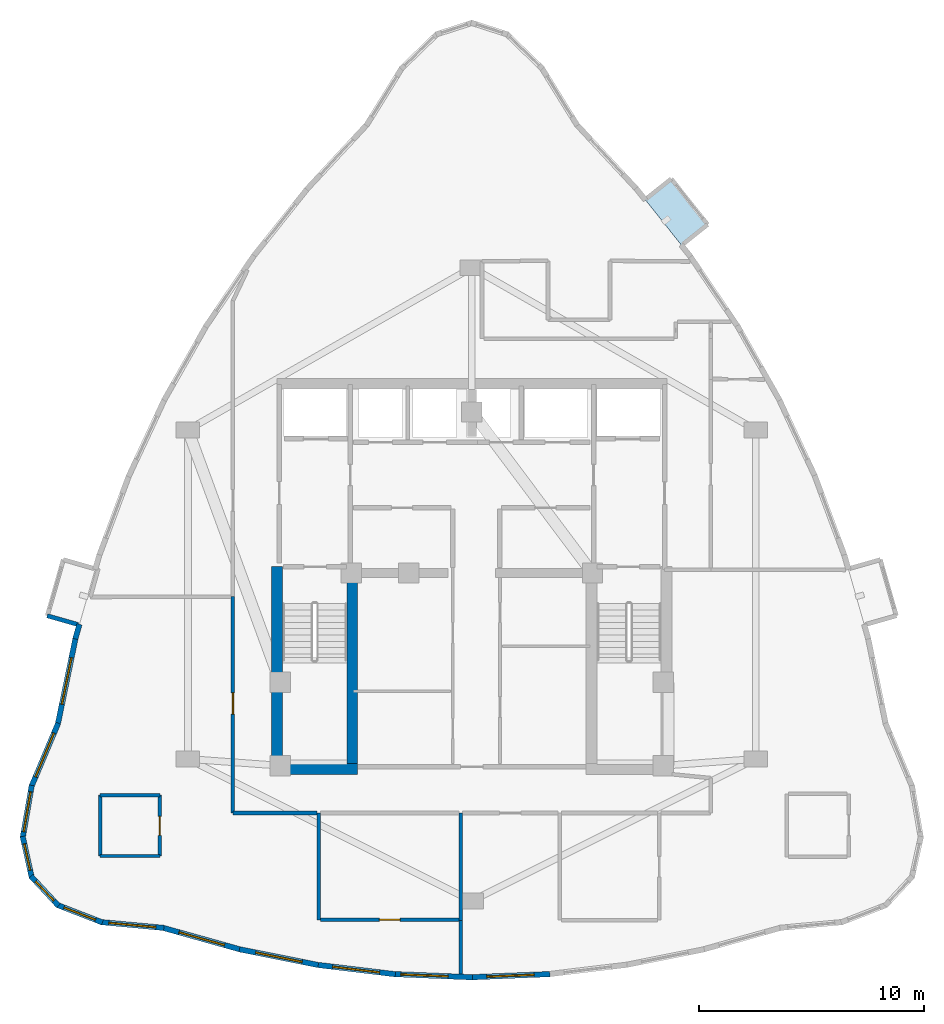
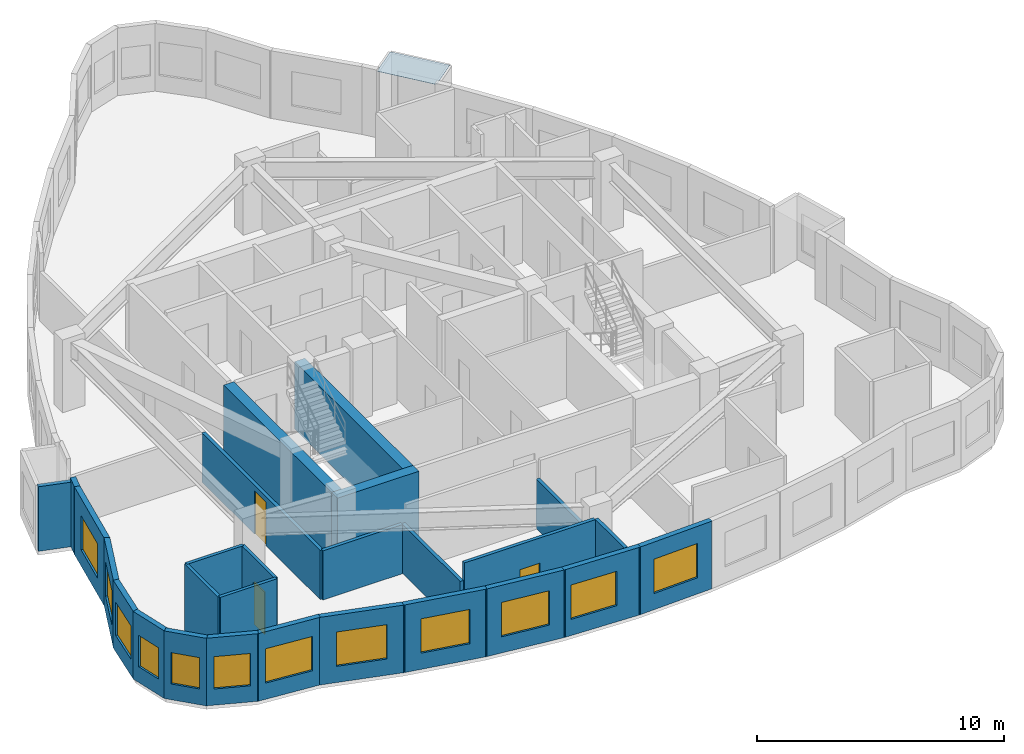
# One storey, part 3 of 8: 27 walls, 12 windows, 3 doors, 1 plate, 15 openings.
"""IFC4 building model written with IfcOpenShell, lengths in metres."""

from ifc_helpers import new_model, si_unit, direction, frame, frame_2d, origin, place, context, subcontext, project, spatial, polyline, rectangle, outline, extrude, material, layer, layer_set, type_object, element, fill, save


model = new_model("IFC4")

# Units and contexts
model_context = context("Model", 3, precision=1e-05, world=origin(), true_north=direction((0.0, 1.0)))
body_context = subcontext(model_context, "Body", "Model", "MODEL_VIEW")
ifc_project = project(units=[si_unit("LENGTHUNIT", "METRE"), si_unit("AREAUNIT", "SQUARE_METRE"), si_unit("VOLUMEUNIT", "CUBIC_METRE"), si_unit("PLANEANGLEUNIT", "RADIAN"), si_unit("MASSUNIT", "GRAM", prefix="KILO")], contexts=[model_context])

# Site, building, storey
site_placement = place(None, origin())
site = spatial("IfcSite", under=ifc_project, at=site_placement, CompositionType="ELEMENT")
building_placement = place(site_placement, origin())
building = spatial("IfcBuilding", under=site, at=building_placement, Name="Miruveldt Soraemaru", CompositionType="ELEMENT")
storey_placement = place(building_placement, frame((0.0, 0.0, 237.60009765625)))
storey = spatial("IfcBuildingStorey", under=building, at=storey_placement, Name="L65", CompositionType="ELEMENT", Elevation=237.60009765625)

# Plate
ifc_material_1 = material(Name="Standing-seam titanium-zinc sheet", Category="aluminium")
ifc_layer_1 = layer(ifc_material_1, 0.011962890625, Name="Standing-seam titanium-zinc sheet", Category="aluminium")
ifc_layer_set_1 = layer_set([ifc_layer_1], Name="Standing-seam titanium-zinc sheet")
plate_type = type_object("IfcPlateType", Name="PLT-ZINC-12", PredefinedType="SHEET", material=ifc_layer_set_1)
plate_placement = place(storey_placement, frame((0.0, 0.0, 3.19482421875)))
element("IfcPlate", 1, at=plate_placement, inside=storey, type_object=plate_type, Name="L65 Bay Window Zinc Hood Sheet 3", PredefinedType="SHEET", context=body_context, shape_type="SweptSolid", body=[
    extrude(outline(polyline([(53.30712890625, 58.592041015625), (51.690673828125, 60.618408203125), (52.84765625, 61.541259765625), (54.464111328125, 59.51513671875), (53.30712890625, 58.592041015625)])), origin(), (0.0, 0.0, 1.0), 0.011962890625),
])

# Walls
ifc_material_2 = material(Name="White powder-coated aluminium EN AW-6060 T6", Category="aluminium")
ifc_layer_2 = layer(ifc_material_2, 0.18994140625, Name="White powder-coated aluminium EN AW-6060 T6", Category="aluminium")
ifc_layer_set_2 = layer_set([ifc_layer_2], Name="White powder-coated aluminium EN AW-6060 T6")
wall_type_1 = type_object("IfcWallType", Name="WALL-BAY-ALU190", PredefinedType="SOLIDWALL", material=ifc_layer_set_2)
wall_1_placement = place(storey_placement, frame((25.158203125, 42.1533203125, 0.0), z_axis=(0.0, 0.0, 1.0), x_axis=(0.961439844578, -0.275015318223, 0.0)))
element("IfcWall", 2, at=wall_1_placement, inside=storey, type_object=wall_type_1, Name="L65 Bay Window Side Cheek 1R", PredefinedType="SOLIDWALL", context=body_context, shape_type="SweptSolid", body=[
    extrude(rectangle(XDim=1.4248046875, YDim=0.18994140625, at=frame_2d((0.71240234375, 0.0))), origin(), (0.0, 0.0, 1.0), 3.19482421875),
])
ifc_material_3 = material(Name="Concrete C60/75 (60 MPa)", Category="concrete")
ifc_layer_3 = layer(ifc_material_3, 0.47998046875, Name="Concrete C60/75 (60 MPa)", Category="concrete")
ifc_layer_set_3 = layer_set([ifc_layer_3], Name="Concrete C60/75 (60 MPa)")
wall_type_2 = type_object("IfcWallType", Name="WALL-CW-480", PredefinedType="SHEAR", material=ifc_layer_set_3)
wall_2_placement = place(storey_placement, frame((35.1201171875, 35.360107421875, 0.0), z_axis=(0.0, 0.0, 1.0), x_axis=(1.0, 0.0, 0.0)))
element("IfcWall", 3, at=wall_2_placement, inside=storey, type_object=wall_type_2, Name="L65 Central Core Shear Wall S1", PredefinedType="SHEAR", context=body_context, shape_type="SweptSolid", body=[
    extrude(rectangle(XDim=3.809814453125, YDim=0.47998046875, at=frame_2d((1.90478515625, 0.0))), origin(), (0.0, 0.0, 1.0), 3.344970703125),
])
wall_3_placement = place(storey_placement, frame((35.360107421875, 35.1201171875, 0.0), z_axis=(0.0, 0.0, 1.0), x_axis=(0.0, 1.0, 0.0)))
element("IfcWall", 4, at=wall_3_placement, inside=storey, type_object=wall_type_2, Name="L65 Central Core Shear Wall W1", PredefinedType="SHEAR", context=body_context, shape_type="SweptSolid", body=[
    extrude(rectangle(XDim=9.22998046875, YDim=0.47998046875, at=frame_2d((4.614990234375, 0.0))), origin(), (0.0, 0.0, 1.0), 3.344970703125),
])
wall_4_placement = place(storey_placement, frame((38.68994140625, 35.39990234375, 0.0), z_axis=(0.0, 0.0, 1.0), x_axis=(0.0, 1.0, 0.0)))
element("IfcWall", 5, at=wall_4_placement, inside=storey, type_object=wall_type_2, Name="L65 Central Core Shear Wall SW-INT", PredefinedType="SHEAR", context=body_context, shape_type="SweptSolid", body=[
    extrude(rectangle(XDim=8.9501953125, YDim=0.47998046875, at=frame_2d((4.47509765625, 0.0))), origin(), (0.0, 0.0, 1.0), 3.344970703125),
])
ifc_material_4 = material(Name="Precast concrete C45/55 (45 MPa)", Category="concrete")
ifc_layer_4 = layer(ifc_material_4, 0.239990234375, Name="Precast concrete C45/55 (45 MPa)", Category="concrete")
ifc_layer_set_4 = layer_set([ifc_layer_4], Name="Precast concrete C45/55 (45 MPa)")
wall_type_3 = type_object("IfcWallType", Name="WALL-EXT-PC240", PredefinedType="SOLIDWALL", material=ifc_layer_set_4)
wall_5_placement = place(storey_placement, frame((26.589111328125, 41.775146484375, 0.0), z_axis=(0.0, 0.0, 1.0), x_axis=(-0.274577784961, -0.961564891209, 0.0)))
element("IfcWall", 6, at=wall_5_placement, inside=storey, type_object=wall_type_3, Name="L65 Precast Pier Wall 13B", PredefinedType="SOLIDWALL", context=body_context, shape_type="SweptSolid", body=[
    extrude(rectangle(XDim=0.6748046875, YDim=0.239990234375, at=frame_2d((0.33740234375, 0.0))), origin(), (0.0, 0.0, 1.0), 3.344970703125),
])

# Wall, opening, window
wall_6_placement = place(storey_placement, frame((26.42041015625, 41.194091796875, 0.0), z_axis=(0.0, 0.0, 1.0), x_axis=(-0.201590165502, -0.979469961343, 0.0)))
wall_6 = element("IfcWall", 7, at=wall_6_placement, inside=storey, type_object=wall_type_3, Name="L65 Precast Concrete Facade Wall 14", PredefinedType="SOLIDWALL", context=body_context, shape_type="SweptSolid", body=[
    extrude(rectangle(XDim=3.95166015625, YDim=0.239990234375, at=frame_2d((1.975830078125, 0.0))), origin(), (0.0, 0.0, 1.0), 3.344970703125),
])
opening_1_placement = place(wall_6_placement, frame((0.926025390625, 0.0, 0.800048828125)))
opening_1 = element("IfcOpeningElement", 8, at=opening_1_placement, cuts=wall_6, Name="Opening WN-1", PredefinedType="OPENING", context=body_context, shape_type="SweptSolid", body=[
    extrude(rectangle(XDim=2.10009765625, YDim=1.699951171875, at=frame_2d((1.050048828125, 0.85009765625))), frame((0.0, 0.1298828125, 0.0), z_axis=(0.0, -1.0, 0.0), x_axis=(1.0, 0.0, 0.0)), (0.0, 0.0, 1.0), 0.260009765625),
])
ifc_material_5 = material(Name="Triple low-e insulated glazing", Category="glass")
window_type_1 = type_object("IfcWindowType", Name="WIN-PUNCH-2100x1700", PartitioningType="SINGLE_PANEL", PredefinedType="WINDOW", material=ifc_material_5)
window_1_placement = place(opening_1_placement, origin())
window_1 = element("IfcWindow", 9, at=window_1_placement, inside=storey, type_object=window_type_1, Name="L65 Punched Triple-Glazed Window 14.1", OverallHeight=1.699951171875, OverallWidth=2.10009765625, PartitioningType="SINGLE_PANEL", PredefinedType="WINDOW", context=body_context, shape_type="SweptSolid", body=[
    extrude(rectangle(XDim=2.10009765625, YDim=1.699951171875, at=frame_2d((1.050048828125, 0.85009765625))), frame((0.0, 0.030029296875, 0.0), z_axis=(0.0, -1.0, 0.0), x_axis=(1.0, 0.0, 0.0)), (0.0, 0.0, 1.0), 0.06005859375),
])
fill(opening_1, window_1)

wall_7_placement = place(storey_placement, frame((25.64453125, 37.389892578125, 0.0), z_axis=(0.0, 0.0, 1.0), x_axis=(-0.388657289862, -0.921382391321, 0.0)))
wall_7 = element("IfcWall", 10, at=wall_7_placement, inside=storey, type_object=wall_type_3, Name="L65 Precast Concrete Facade Wall 15", PredefinedType="SOLIDWALL", context=body_context, shape_type="SweptSolid", body=[
    extrude(rectangle(XDim=3.072265625, YDim=0.239990234375, at=frame_2d((1.5361328125, 0.0))), origin(), (0.0, 0.0, 1.0), 3.344970703125),
])
opening_2_placement = place(wall_7_placement, frame((0.486083984375, 0.0, 0.800048828125)))
opening_2 = element("IfcOpeningElement", 11, at=opening_2_placement, cuts=wall_7, Name="Opening WN-1", PredefinedType="OPENING", context=body_context, shape_type="SweptSolid", body=[
    extrude(rectangle(XDim=2.10009765625, YDim=1.699951171875, at=frame_2d((1.050048828125, 0.85009765625))), frame((0.0, 0.1298828125, 0.0), z_axis=(0.0, -1.0, 0.0), x_axis=(1.0, 0.0, 0.0)), (0.0, 0.0, 1.0), 0.260009765625),
])
window_2_placement = place(opening_2_placement, origin())
window_2 = element("IfcWindow", 12, at=window_2_placement, inside=storey, type_object=window_type_1, Name="L65 Punched Triple-Glazed Window 15.1", OverallHeight=1.699951171875, OverallWidth=2.10009765625, PartitioningType="SINGLE_PANEL", PredefinedType="WINDOW", context=body_context, shape_type="SweptSolid", body=[
    extrude(rectangle(XDim=2.10009765625, YDim=1.699951171875, at=frame_2d((1.050048828125, 0.85009765625))), frame((0.0, 0.030029296875, 0.0), z_axis=(0.0, -1.0, 0.0), x_axis=(1.0, 0.0, 0.0)), (0.0, 0.0, 1.0), 0.06005859375),
])
fill(opening_2, window_2)

wall_8_placement = place(storey_placement, frame((24.469970703125, 34.6259765625, 0.0), z_axis=(0.0, 0.0, 1.0), x_axis=(-0.169281623361, -0.985567720653, 0.0)))
wall_8 = element("IfcWall", 13, at=wall_8_placement, inside=storey, type_object=wall_type_3, Name="L65 Precast Concrete Facade Wall 16", PredefinedType="SOLIDWALL", context=body_context, shape_type="SweptSolid", body=[
    extrude(rectangle(XDim=2.36669921875, YDim=0.239990234375, at=frame_2d((1.183349609375, 0.0))), origin(), (0.0, 0.0, 1.0), 3.344970703125),
])
opening_3_placement = place(wall_8_placement, frame((0.282958984375, 0.0, 0.800048828125)))
opening_3 = element("IfcOpeningElement", 14, at=opening_3_placement, cuts=wall_8, Name="Opening WN-2", PredefinedType="OPENING", context=body_context, shape_type="SweptSolid", body=[
    extrude(rectangle(XDim=1.800048828125, YDim=1.64990234375, at=frame_2d((0.89990234375, 0.824951171875))), frame((0.0, 0.1298828125, 0.0), z_axis=(0.0, -1.0, 0.0), x_axis=(1.0, 0.0, 0.0)), (0.0, 0.0, 1.0), 0.260009765625),
])
window_type_2 = type_object("IfcWindowType", Name="WIN-PUNCH-1800x1650", PartitioningType="SINGLE_PANEL", PredefinedType="WINDOW", material=ifc_material_5)
window_3_placement = place(opening_3_placement, origin())
window_3 = element("IfcWindow", 15, at=window_3_placement, inside=storey, type_object=window_type_2, Name="L65 Punched Triple-Glazed Window 16.1", OverallHeight=1.64990234375, OverallWidth=1.800048828125, PartitioningType="SINGLE_PANEL", PredefinedType="WINDOW", context=body_context, shape_type="SweptSolid", body=[
    extrude(rectangle(XDim=1.800048828125, YDim=1.64990234375, at=frame_2d((0.89990234375, 0.824951171875))), frame((0.0, 0.030029296875, 0.0), z_axis=(0.0, -1.0, 0.0), x_axis=(1.0, 0.0, 0.0)), (0.0, 0.0, 1.0), 0.06005859375),
])
fill(opening_3, window_3)

wall_9_placement = place(storey_placement, frame((24.067626953125, 32.362060546875, 0.0), z_axis=(0.0, 0.0, 1.0), x_axis=(0.215729538574, -0.976453156166, 0.0)))
wall_9 = element("IfcWall", 16, at=wall_9_placement, inside=storey, type_object=wall_type_3, Name="L65 Precast Concrete Facade Wall 17", PredefinedType="SOLIDWALL", context=body_context, shape_type="SweptSolid", body=[
    extrude(rectangle(XDim=1.873046875, YDim=0.239990234375, at=frame_2d((0.9365234375, 0.0))), origin(), (0.0, 0.0, 1.0), 3.344970703125),
])
opening_4_placement = place(wall_9_placement, frame((0.3369140625, 0.0, 0.780029296875)))
opening_4 = element("IfcOpeningElement", 17, at=opening_4_placement, cuts=wall_9, Name="Opening WN-4", PredefinedType="OPENING", context=body_context, shape_type="SweptSolid", body=[
    extrude(rectangle(XDim=1.199951171875, YDim=1.550048828125, at=frame_2d((0.60009765625, 0.77490234375))), frame((0.0, 0.1298828125, 0.0), z_axis=(0.0, -1.0, 0.0), x_axis=(1.0, 0.0, 0.0)), (0.0, 0.0, 1.0), 0.260009765625),
])
window_type_3 = type_object("IfcWindowType", Name="WIN-PUNCH-1200x1550", PartitioningType="SINGLE_PANEL", PredefinedType="WINDOW", material=ifc_material_5)
window_4_placement = place(opening_4_placement, origin())
window_4 = element("IfcWindow", 18, at=window_4_placement, inside=storey, type_object=window_type_3, Name="L65 Punched Triple-Glazed Window 17.1", OverallHeight=1.550048828125, OverallWidth=1.199951171875, PartitioningType="SINGLE_PANEL", PredefinedType="WINDOW", context=body_context, shape_type="SweptSolid", body=[
    extrude(rectangle(XDim=1.199951171875, YDim=1.550048828125, at=frame_2d((0.60009765625, 0.77490234375))), frame((0.0, 0.030029296875, 0.0), z_axis=(0.0, -1.0, 0.0), x_axis=(1.0, 0.0, 0.0)), (0.0, 0.0, 1.0), 0.06005859375),
])
fill(opening_4, window_4)

wall_10_placement = place(storey_placement, frame((24.440185546875, 30.593017578125, 0.0), z_axis=(0.0, 0.0, 1.0), x_axis=(0.68022555835, -0.733002857953, 0.0)))
wall_10 = element("IfcWall", 19, at=wall_10_placement, inside=storey, type_object=wall_type_3, Name="L65 Precast Concrete Facade Wall 18", PredefinedType="SOLIDWALL", context=body_context, shape_type="SweptSolid", body=[
    extrude(rectangle(XDim=1.78564453125, YDim=0.239990234375, at=frame_2d((0.892822265625, 0.0))), origin(), (0.0, 0.0, 1.0), 3.344970703125),
])
opening_5_placement = place(wall_10_placement, frame((0.2919921875, 0.0, 0.780029296875)))
opening_5 = element("IfcOpeningElement", 20, at=opening_5_placement, cuts=wall_10, Name="Opening WN-4", PredefinedType="OPENING", context=body_context, shape_type="SweptSolid", body=[
    extrude(rectangle(XDim=1.199951171875, YDim=1.550048828125, at=frame_2d((0.60009765625, 0.77490234375))), frame((0.0, 0.1298828125, 0.0), z_axis=(0.0, -1.0, 0.0), x_axis=(1.0, 0.0, 0.0)), (0.0, 0.0, 1.0), 0.260009765625),
])
window_5_placement = place(opening_5_placement, origin())
window_5 = element("IfcWindow", 21, at=window_5_placement, inside=storey, type_object=window_type_3, Name="L65 Punched Triple-Glazed Window 18.1", OverallHeight=1.550048828125, OverallWidth=1.199951171875, PartitioningType="SINGLE_PANEL", PredefinedType="WINDOW", context=body_context, shape_type="SweptSolid", body=[
    extrude(rectangle(XDim=1.199951171875, YDim=1.550048828125, at=frame_2d((0.60009765625, 0.77490234375))), frame((0.0, 0.030029296875, 0.0), z_axis=(0.0, -1.0, 0.0), x_axis=(1.0, 0.0, 0.0)), (0.0, 0.0, 1.0), 0.06005859375),
])
fill(opening_5, window_5)

wall_11_placement = place(storey_placement, frame((25.598388671875, 29.32275390625, 0.0), z_axis=(0.0, 0.0, 1.0), x_axis=(0.932246744433, -0.361823171582, 0.0)))
wall_11 = element("IfcWall", 22, at=wall_11_placement, inside=storey, type_object=wall_type_3, Name="L65 Precast Concrete Facade Wall 19", PredefinedType="SOLIDWALL", context=body_context, shape_type="SweptSolid", body=[
    extrude(rectangle(XDim=2.15576171875, YDim=0.239990234375, at=frame_2d((1.077880859375, 0.0))), origin(), (0.0, 0.0, 1.0), 3.344970703125),
])
opening_6_placement = place(wall_11_placement, frame((0.327880859375, 0.0, 0.800048828125)))
opening_6 = element("IfcOpeningElement", 23, at=opening_6_placement, cuts=wall_11, Name="Opening WN-3", PredefinedType="OPENING", context=body_context, shape_type="SweptSolid", body=[
    extrude(rectangle(XDim=1.5, YDim=1.60009765625, at=frame_2d((0.75, 0.800048828125))), frame((0.0, 0.1298828125, 0.0), z_axis=(0.0, -1.0, 0.0), x_axis=(1.0, 0.0, 0.0)), (0.0, 0.0, 1.0), 0.260009765625),
])
window_type_4 = type_object("IfcWindowType", Name="WIN-PUNCH-1500x1600", PartitioningType="SINGLE_PANEL", PredefinedType="WINDOW", material=ifc_material_5)
window_6_placement = place(opening_6_placement, origin())
window_6 = element("IfcWindow", 24, at=window_6_placement, inside=storey, type_object=window_type_4, Name="L65 Punched Triple-Glazed Window 19.1", OverallHeight=1.60009765625, OverallWidth=1.5, PartitioningType="SINGLE_PANEL", PredefinedType="WINDOW", context=body_context, shape_type="SweptSolid", body=[
    extrude(rectangle(XDim=1.5, YDim=1.60009765625, at=frame_2d((0.75, 0.800048828125))), frame((0.0, 0.030029296875, 0.0), z_axis=(0.0, -1.0, 0.0), x_axis=(1.0, 0.0, 0.0)), (0.0, 0.0, 1.0), 0.06005859375),
])
fill(opening_6, window_6)

wall_12_placement = place(storey_placement, frame((27.54052734375, 28.55859375, 0.0), z_axis=(0.0, 0.0, 1.0), x_axis=(0.995765207839, -0.091932860594, 0.0)))
wall_12 = element("IfcWall", 25, at=wall_12_placement, inside=storey, type_object=wall_type_3, Name="L65 Precast Concrete Facade Wall 20", PredefinedType="SOLIDWALL", context=body_context, shape_type="SweptSolid", body=[
    extrude(rectangle(XDim=2.804443359375, YDim=0.239990234375, at=frame_2d((1.40234375, 0.0))), origin(), (0.0, 0.0, 1.0), 3.344970703125),
])
opening_7_placement = place(wall_12_placement, frame((0.35205078125, 0.0, 0.800048828125)))
opening_7 = element("IfcOpeningElement", 26, at=opening_7_placement, cuts=wall_12, Name="Opening WN-1", PredefinedType="OPENING", context=body_context, shape_type="SweptSolid", body=[
    extrude(rectangle(XDim=2.10009765625, YDim=1.699951171875, at=frame_2d((1.050048828125, 0.85009765625))), frame((0.0, 0.1298828125, 0.0), z_axis=(0.0, -1.0, 0.0), x_axis=(1.0, 0.0, 0.0)), (0.0, 0.0, 1.0), 0.260009765625),
])
window_7_placement = place(opening_7_placement, origin())
window_7 = element("IfcWindow", 27, at=window_7_placement, inside=storey, type_object=window_type_1, Name="L65 Punched Triple-Glazed Window 20.1", OverallHeight=1.699951171875, OverallWidth=2.10009765625, PartitioningType="SINGLE_PANEL", PredefinedType="WINDOW", context=body_context, shape_type="SweptSolid", body=[
    extrude(rectangle(XDim=2.10009765625, YDim=1.699951171875, at=frame_2d((1.050048828125, 0.85009765625))), frame((0.0, 0.030029296875, 0.0), z_axis=(0.0, -1.0, 0.0), x_axis=(1.0, 0.0, 0.0)), (0.0, 0.0, 1.0), 0.06005859375),
])
fill(opening_7, window_7)

wall_13_placement = place(storey_placement, frame((30.264404296875, 28.3134765625, 0.0), z_axis=(0.0, 0.0, 1.0), x_axis=(0.96295842686, -0.269649899203, 0.0)))
wall_13 = element("IfcWall", 28, at=wall_13_placement, inside=storey, type_object=wall_type_3, Name="L65 Precast Concrete Facade Wall 21", PredefinedType="SOLIDWALL", context=body_context, shape_type="SweptSolid", body=[
    extrude(rectangle(XDim=3.626953125, YDim=0.239990234375, at=frame_2d((1.8134765625, 0.0))), origin(), (0.0, 0.0, 1.0), 3.344970703125),
])
opening_8_placement = place(wall_13_placement, frame((0.763916015625, 0.0, 0.800048828125)))
opening_8 = element("IfcOpeningElement", 29, at=opening_8_placement, cuts=wall_13, Name="Opening WN-1", PredefinedType="OPENING", context=body_context, shape_type="SweptSolid", body=[
    extrude(rectangle(XDim=2.10009765625, YDim=1.699951171875, at=frame_2d((1.050048828125, 0.85009765625))), frame((0.0, 0.1298828125, 0.0), z_axis=(0.0, -1.0, 0.0), x_axis=(1.0, 0.0, 0.0)), (0.0, 0.0, 1.0), 0.260009765625),
])
window_8_placement = place(opening_8_placement, origin())
window_8 = element("IfcWindow", 30, at=window_8_placement, inside=storey, type_object=window_type_1, Name="L65 Punched Triple-Glazed Window 21.1", OverallHeight=1.699951171875, OverallWidth=2.10009765625, PartitioningType="SINGLE_PANEL", PredefinedType="WINDOW", context=body_context, shape_type="SweptSolid", body=[
    extrude(rectangle(XDim=2.10009765625, YDim=1.699951171875, at=frame_2d((1.050048828125, 0.85009765625))), frame((0.0, 0.030029296875, 0.0), z_axis=(0.0, -1.0, 0.0), x_axis=(1.0, 0.0, 0.0)), (0.0, 0.0, 1.0), 0.06005859375),
])
fill(opening_8, window_8)

wall_14_placement = place(storey_placement, frame((33.689208984375, 27.351806640625, 0.0), z_axis=(0.0, 0.0, 1.0), x_axis=(0.980572769429, -0.196155662303, 0.0)))
wall_14 = element("IfcWall", 31, at=wall_14_placement, inside=storey, type_object=wall_type_3, Name="L65 Precast Concrete Facade Wall 22", PredefinedType="SOLIDWALL", context=body_context, shape_type="SweptSolid", body=[
    extrude(rectangle(XDim=3.5634765625, YDim=0.239990234375, at=frame_2d((1.78173828125, 0.0))), origin(), (0.0, 0.0, 1.0), 3.344970703125),
])
opening_9_placement = place(wall_14_placement, frame((0.73193359375, 0.0, 0.800048828125)))
opening_9 = element("IfcOpeningElement", 32, at=opening_9_placement, cuts=wall_14, Name="Opening WN-1", PredefinedType="OPENING", context=body_context, shape_type="SweptSolid", body=[
    extrude(rectangle(XDim=2.10009765625, YDim=1.699951171875, at=frame_2d((1.050048828125, 0.85009765625))), frame((0.0, 0.1298828125, 0.0), z_axis=(0.0, -1.0, 0.0), x_axis=(1.0, 0.0, 0.0)), (0.0, 0.0, 1.0), 0.260009765625),
])
window_9_placement = place(opening_9_placement, origin())
window_9 = element("IfcWindow", 33, at=window_9_placement, inside=storey, type_object=window_type_1, Name="L65 Punched Triple-Glazed Window 22.1", OverallHeight=1.699951171875, OverallWidth=2.10009765625, PartitioningType="SINGLE_PANEL", PredefinedType="WINDOW", context=body_context, shape_type="SweptSolid", body=[
    extrude(rectangle(XDim=2.10009765625, YDim=1.699951171875, at=frame_2d((1.050048828125, 0.85009765625))), frame((0.0, 0.030029296875, 0.0), z_axis=(0.0, -1.0, 0.0), x_axis=(1.0, 0.0, 0.0)), (0.0, 0.0, 1.0), 0.06005859375),
])
fill(opening_9, window_9)

wall_15_placement = place(storey_placement, frame((37.1142578125, 26.6640625, 0.0), z_axis=(0.0, 0.0, 1.0), x_axis=(0.992867975091, -0.119219059038, 0.0)))
wall_15 = element("IfcWall", 34, at=wall_15_placement, inside=storey, type_object=wall_type_3, Name="L65 Precast Concrete Facade Wall 23", PredefinedType="SOLIDWALL", context=body_context, shape_type="SweptSolid", body=[
    extrude(rectangle(XDim=3.520263671875, YDim=0.239990234375, at=frame_2d((1.76025390625, 0.0))), origin(), (0.0, 0.0, 1.0), 3.344970703125),
])
opening_10_placement = place(wall_15_placement, frame((0.7099609375, 0.0, 0.800048828125)))
opening_10 = element("IfcOpeningElement", 35, at=opening_10_placement, cuts=wall_15, Name="Opening WN-1", PredefinedType="OPENING", context=body_context, shape_type="SweptSolid", body=[
    extrude(rectangle(XDim=2.10009765625, YDim=1.699951171875, at=frame_2d((1.050048828125, 0.85009765625))), frame((0.0, 0.1298828125, 0.0), z_axis=(0.0, -1.0, 0.0), x_axis=(1.0, 0.0, 0.0)), (0.0, 0.0, 1.0), 0.260009765625),
])
window_10_placement = place(opening_10_placement, origin())
window_10 = element("IfcWindow", 36, at=window_10_placement, inside=storey, type_object=window_type_1, Name="L65 Punched Triple-Glazed Window 23.1", OverallHeight=1.699951171875, OverallWidth=2.10009765625, PartitioningType="SINGLE_PANEL", PredefinedType="WINDOW", context=body_context, shape_type="SweptSolid", body=[
    extrude(rectangle(XDim=2.10009765625, YDim=1.699951171875, at=frame_2d((1.050048828125, 0.85009765625))), frame((0.0, 0.030029296875, 0.0), z_axis=(0.0, -1.0, 0.0), x_axis=(1.0, 0.0, 0.0)), (0.0, 0.0, 1.0), 0.06005859375),
])
fill(opening_10, window_10)

wall_16_placement = place(storey_placement, frame((40.53955078125, 26.25, 0.0), z_axis=(0.0, 0.0, 1.0), x_axis=(0.999202852891, -0.039920655993, 0.0)))
wall_16 = element("IfcWall", 37, at=wall_16_placement, inside=storey, type_object=wall_type_3, Name="L65 Precast Concrete Facade Wall 24", PredefinedType="SOLIDWALL", context=body_context, shape_type="SweptSolid", body=[
    extrude(rectangle(XDim=3.498046875, YDim=0.239990234375, at=frame_2d((1.7490234375, 0.0))), origin(), (0.0, 0.0, 1.0), 3.344970703125),
])
opening_11_placement = place(wall_16_placement, frame((0.31005859375, 0.0, 0.800048828125)))
opening_11 = element("IfcOpeningElement", 38, at=opening_11_placement, cuts=wall_16, Name="Opening WN-1", PredefinedType="OPENING", context=body_context, shape_type="SweptSolid", body=[
    extrude(rectangle(XDim=2.10009765625, YDim=1.699951171875, at=frame_2d((1.050048828125, 0.85009765625))), frame((0.0, 0.1298828125, 0.0), z_axis=(0.0, -1.0, 0.0), x_axis=(1.0, 0.0, 0.0)), (0.0, 0.0, 1.0), 0.260009765625),
])
window_11_placement = place(opening_11_placement, origin())
window_11 = element("IfcWindow", 39, at=window_11_placement, inside=storey, type_object=window_type_1, Name="L65 Punched Triple-Glazed Window 24.1", OverallHeight=1.699951171875, OverallWidth=2.10009765625, PartitioningType="SINGLE_PANEL", PredefinedType="WINDOW", context=body_context, shape_type="SweptSolid", body=[
    extrude(rectangle(XDim=2.10009765625, YDim=1.699951171875, at=frame_2d((1.050048828125, 0.85009765625))), frame((0.0, 0.030029296875, 0.0), z_axis=(0.0, -1.0, 0.0), x_axis=(1.0, 0.0, 0.0)), (0.0, 0.0, 1.0), 0.06005859375),
])
fill(opening_11, window_11)

wall_17_placement = place(storey_placement, frame((43.965087890625, 26.1103515625, 0.0), z_axis=(0.0, 0.0, 1.0), x_axis=(0.999202852891, 0.039920655993, 0.0)))
wall_17 = element("IfcWall", 40, at=wall_17_placement, inside=storey, type_object=wall_type_3, Name="L65 Precast Concrete Facade Wall 25", PredefinedType="SOLIDWALL", context=body_context, shape_type="SweptSolid", body=[
    extrude(rectangle(XDim=3.498046875, YDim=0.239990234375, at=frame_2d((1.7490234375, 0.0))), origin(), (0.0, 0.0, 1.0), 3.344970703125),
])
opening_12_placement = place(wall_17_placement, frame((0.698974609375, 0.0, 0.800048828125)))
opening_12 = element("IfcOpeningElement", 41, at=opening_12_placement, cuts=wall_17, Name="Opening WN-1", PredefinedType="OPENING", context=body_context, shape_type="SweptSolid", body=[
    extrude(rectangle(XDim=2.10009765625, YDim=1.699951171875, at=frame_2d((1.050048828125, 0.85009765625))), frame((0.0, 0.1298828125, 0.0), z_axis=(0.0, -1.0, 0.0), x_axis=(1.0, 0.0, 0.0)), (0.0, 0.0, 1.0), 0.260009765625),
])
window_12_placement = place(opening_12_placement, origin())
window_12 = element("IfcWindow", 42, at=window_12_placement, inside=storey, type_object=window_type_1, Name="L65 Punched Triple-Glazed Window 25.1", OverallHeight=1.699951171875, OverallWidth=2.10009765625, PartitioningType="SINGLE_PANEL", PredefinedType="WINDOW", context=body_context, shape_type="SweptSolid", body=[
    extrude(rectangle(XDim=2.10009765625, YDim=1.699951171875, at=frame_2d((1.050048828125, 0.85009765625))), frame((0.0, 0.030029296875, 0.0), z_axis=(0.0, -1.0, 0.0), x_axis=(1.0, 0.0, 0.0)), (0.0, 0.0, 1.0), 0.06005859375),
])
fill(opening_12, window_12)

# Wall, opening, door
ifc_material_6 = material(Name="Gypsum plasterboard lining", Category="gypsum")
ifc_layer_5 = layer(ifc_material_6, 0.14990234375, Name="Gypsum plasterboard lining", Category="gypsum")
ifc_layer_set_5 = layer_set([ifc_layer_5], Name="Gypsum plasterboard lining")
wall_type_4 = type_object("IfcWallType", Name="WALL-INT-PLUMB", PredefinedType="PLUMBINGWALL", material=ifc_layer_set_5)
wall_18_placement = place(storey_placement, frame((30.155029296875, 31.493896484375, 0.0), z_axis=(0.0, 0.0, 1.0), x_axis=(0.0, 1.0, 0.0)))
wall_18 = element("IfcWall", 43, at=wall_18_placement, inside=storey, type_object=wall_type_4, Name="L65 Partition Wall 20", PredefinedType="PLUMBINGWALL", context=body_context, shape_type="SweptSolid", body=[
    extrude(rectangle(XDim=2.7001953125, YDim=0.14990234375, at=frame_2d((1.35009765625, 0.0))), origin(), (0.0, 0.0, 1.0), 3.344970703125),
])
opening_13_placement = place(wall_18_placement, frame((0.909912109375, 0.0, 0.0)))
opening_13 = element("IfcOpeningElement", 44, at=opening_13_placement, cuts=wall_18, Name="Opening FD3", PredefinedType="OPENING", context=body_context, shape_type="SweptSolid", body=[
    extrude(rectangle(XDim=0.85009765625, YDim=2.10009765625, at=frame_2d((0.425048828125, 1.050048828125))), frame((0.0, 0.0849609375, 0.0), z_axis=(0.0, -1.0, 0.0), x_axis=(1.0, 0.0, 0.0)), (0.0, 0.0, 1.0), 0.169921875),
])
ifc_material_7 = material(Name="Anodised aluminium EN AW-6063 T6", Category="aluminium")
door_type_1 = type_object("IfcDoorType", Name="DOOR-FD3-850", OperationType="NOTDEFINED", PredefinedType="DOOR", material=ifc_material_7)
door_1_placement = place(opening_13_placement, origin())
door_1 = element("IfcDoor", 45, at=door_1_placement, inside=storey, type_object=door_type_1, Name="L65 Unit 6503 BTH Door", OperationType="SINGLE_SWING_LEFT", OverallHeight=2.10009765625, OverallWidth=0.85009765625, PredefinedType="DOOR", context=body_context, shape_type="SweptSolid", body=[
    extrude(rectangle(XDim=0.85009765625, YDim=2.10009765625, at=frame_2d((0.425048828125, 1.050048828125))), frame((0.0, 0.02490234375, 0.0), z_axis=(0.0, -1.0, 0.0), x_axis=(1.0, 0.0, 0.0)), (0.0, 0.0, 1.0), 0.050048828125),
])
fill(opening_13, door_1)

# Walls
wall_19_placement = place(storey_placement, frame((27.5048828125, 34.194091796875, 0.0), z_axis=(0.0, 0.0, 1.0), x_axis=(0.0, -1.0, 0.0)))
element("IfcWall", 46, at=wall_19_placement, inside=storey, type_object=wall_type_4, Name="L65 Partition Wall 22", PredefinedType="PLUMBINGWALL", context=body_context, shape_type="SweptSolid", body=[
    extrude(rectangle(XDim=2.7001953125, YDim=0.14990234375, at=frame_2d((1.35009765625, 0.0))), origin(), (0.0, 0.0, 1.0), 3.344970703125),
])
for number, where, z_axis, x_axis, name in (
    (47, (30.155029296875, 34.194091796875, 0.0), (0.0, 0.0, 1.0), (-1.0, 0.0, 0.0), "L65 Partition Wall 21"),
    (48, (27.5048828125, 31.493896484375, 0.0), (0.0, 0.0, 1.0), (1.0, 0.0, 0.0), "L65 Partition Wall 23"),
):
    element("IfcWall", number, at=place(storey_placement, frame(where, z_axis=z_axis, x_axis=x_axis)), inside=storey, type_object=wall_type_4, Name=name, PredefinedType="PLUMBINGWALL", context=body_context, shape_type="SweptSolid", body=[
        extrude(rectangle(XDim=2.650146484375, YDim=0.14990234375, at=frame_2d((1.3251953125, 0.0))), origin(), (0.0, 0.0, 1.0), 3.344970703125),
    ])

# Wall, opening, door
ifc_material_8 = material(Name="Concrete C40/50 (40 MPa)", Category="concrete")
ifc_layer_6 = layer(ifc_material_8, 0.159912109375, Name="Concrete C40/50 (40 MPa)", Category="concrete")
ifc_layer_set_6 = layer_set([ifc_layer_6], Name="Concrete C40/50 (40 MPa)")
wall_type_5 = type_object("IfcWallType", Name="WALL-INT-RC160", PredefinedType="SOLIDWALL", material=ifc_layer_set_6)
wall_20_placement = place(storey_placement, frame((33.39990234375, 42.9970703125, 0.0), z_axis=(0.0, 0.0, 1.0), x_axis=(0.0, -1.0, 0.0)))
wall_20 = element("IfcWall", 49, at=wall_20_placement, inside=storey, type_object=wall_type_5, Name="L65 Partition Wall 8", PredefinedType="SOLIDWALL", context=body_context, shape_type="SweptSolid", body=[
    extrude(rectangle(XDim=9.59716796875, YDim=0.159912109375, at=frame_2d((4.798583984375, 0.0))), origin(), (0.0, 0.0, 1.0), 2.432861328125),
])
opening_14_placement = place(wall_20_placement, frame((4.262939453125, 0.0, 0.0)))
opening_14 = element("IfcOpeningElement", 50, at=opening_14_placement, cuts=wall_20, Name="Opening FD2", PredefinedType="OPENING", context=body_context, shape_type="SweptSolid", body=[
    extrude(rectangle(XDim=0.949951171875, YDim=2.14990234375, at=frame_2d((0.47509765625, 1.074951171875))), frame((0.0, 0.08984375, 0.0), z_axis=(0.0, -1.0, 0.0), x_axis=(1.0, 0.0, 0.0)), (0.0, 0.0, 1.0), 0.179931640625),
])
door_type_2 = type_object("IfcDoorType", Name="DOOR-FD2-950", OperationType="NOTDEFINED", PredefinedType="DOOR", material=ifc_material_7)
door_2_placement = place(opening_14_placement, origin())
door_2 = element("IfcDoor", 51, at=door_2_placement, inside=storey, type_object=door_type_2, Name="L65 Unit 6503 Entrance Fire Door", OperationType="SINGLE_SWING_RIGHT", OverallHeight=2.14990234375, OverallWidth=0.949951171875, PredefinedType="DOOR", context=body_context, shape_type="SweptSolid", body=[
    extrude(rectangle(XDim=0.949951171875, YDim=2.14990234375, at=frame_2d((0.47509765625, 1.074951171875))), frame((0.0, 0.02490234375, 0.0), z_axis=(0.0, -1.0, 0.0), x_axis=(1.0, 0.0, 0.0)), (0.0, 0.0, 1.0), 0.050048828125),
])
fill(opening_14, door_2)

wall_21_placement = place(storey_placement, frame((43.419921875, 28.662109375, 0.0), z_axis=(0.0, 0.0, 1.0), x_axis=(-1.0, 0.0, 0.0)))
wall_21 = element("IfcWall", 52, at=wall_21_placement, inside=storey, type_object=wall_type_5, Name="L65 Partition Wall 24", PredefinedType="SOLIDWALL", context=body_context, shape_type="SweptSolid", body=[
    extrude(rectangle(XDim=6.126953125, YDim=0.159912109375, at=frame_2d((3.0634765625, 0.0))), origin(), (0.0, 0.0, 1.0), 3.344970703125),
])
opening_15_placement = place(wall_21_placement, frame((2.60400390625, 0.0, 0.0)))
opening_15 = element("IfcOpeningElement", 53, at=opening_15_placement, cuts=wall_21, Name="Opening D3A", PredefinedType="OPENING", context=body_context, shape_type="SweptSolid", body=[
    extrude(rectangle(XDim=0.919921875, YDim=2.10009765625, at=frame_2d((0.4599609375, 1.050048828125))), frame((0.0, 0.08984375, 0.0), z_axis=(0.0, -1.0, 0.0), x_axis=(1.0, 0.0, 0.0)), (0.0, 0.0, 1.0), 0.179931640625),
])
door_type_3 = type_object("IfcDoorType", Name="DOOR-INT-920", OperationType="NOTDEFINED", PredefinedType="DOOR", material=ifc_material_7)
door_3_placement = place(opening_15_placement, origin())
door_3 = element("IfcDoor", 54, at=door_3_placement, inside=storey, type_object=door_type_3, Name="L65 Unit 6503 BD1 Door", OperationType="SINGLE_SWING_RIGHT", OverallHeight=2.10009765625, OverallWidth=0.919921875, PredefinedType="DOOR", context=body_context, shape_type="SweptSolid", body=[
    extrude(rectangle(XDim=0.919921875, YDim=2.10009765625, at=frame_2d((0.4599609375, 1.050048828125))), frame((0.0, 0.02490234375, 0.0), z_axis=(0.0, -1.0, 0.0), x_axis=(1.0, 0.0, 0.0)), (0.0, 0.0, 1.0), 0.050048828125),
])
fill(opening_15, door_3)

# Walls
wall_22_placement = place(storey_placement, frame((43.5, 28.64111328125, 0.0), z_axis=(0.0, 0.0, 1.0), x_axis=(0.0, 1.0, 0.0)))
element("IfcWall", 55, at=wall_22_placement, inside=storey, type_object=wall_type_5, Name="L65 Partition Wall 27", PredefinedType="SOLIDWALL", context=body_context, shape_type="SweptSolid", body=[
    extrude(rectangle(XDim=4.755859375, YDim=0.159912109375, at=frame_2d((2.3779296875, 0.0))), origin(), (0.0, 0.0, 1.0), 2.432861328125),
])
wall_23_placement = place(storey_placement, frame((37.212890625, 28.662109375, 0.0), z_axis=(0.0, 0.0, 1.0), x_axis=(0.0, 1.0, 0.0)))
element("IfcWall", 56, at=wall_23_placement, inside=storey, type_object=wall_type_5, Name="L65 Partition Wall 25", PredefinedType="SOLIDWALL", context=body_context, shape_type="SweptSolid", body=[
    extrude(rectangle(XDim=4.73779296875, YDim=0.159912109375, at=frame_2d((2.368896484375, 0.0))), origin(), (0.0, 0.0, 1.0), 2.432861328125),
])
wall_24_placement = place(storey_placement, frame((33.39990234375, 33.39990234375, 0.0), z_axis=(0.0, 0.0, 1.0), x_axis=(1.0, 0.0, 0.0)))
element("IfcWall", 57, at=wall_24_placement, inside=storey, type_object=wall_type_5, Name="L65 Partition Wall 9", PredefinedType="SOLIDWALL", context=body_context, shape_type="SweptSolid", body=[
    extrude(rectangle(XDim=3.72998046875, YDim=0.159912109375, at=frame_2d((1.864990234375, 0.0))), origin(), (0.0, 0.0, 1.0), 2.432861328125),
])
wall_25_placement = place(storey_placement, frame((43.501953125, 26.26708984375, 0.0), z_axis=(0.0, 0.0, 1.0), x_axis=(-0.000824147243, 0.999999660391, 0.0)))
element("IfcWall", 58, at=wall_25_placement, inside=storey, type_object=wall_type_5, Name="L65 Partition Wall 26", PredefinedType="SOLIDWALL", context=body_context, shape_type="SweptSolid", body=[
    extrude(rectangle(XDim=2.369873046875, YDim=0.159912109375, at=frame_2d((1.18505859375, 0.0))), origin(), (0.0, 0.0, 1.0), 3.344970703125),
])

save(model, "model.ifc")
